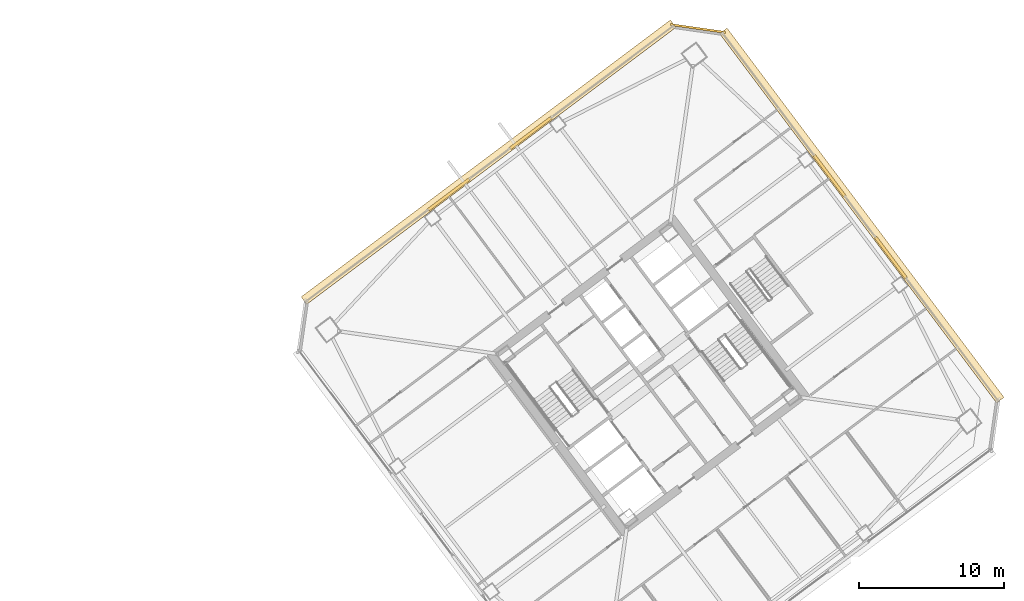
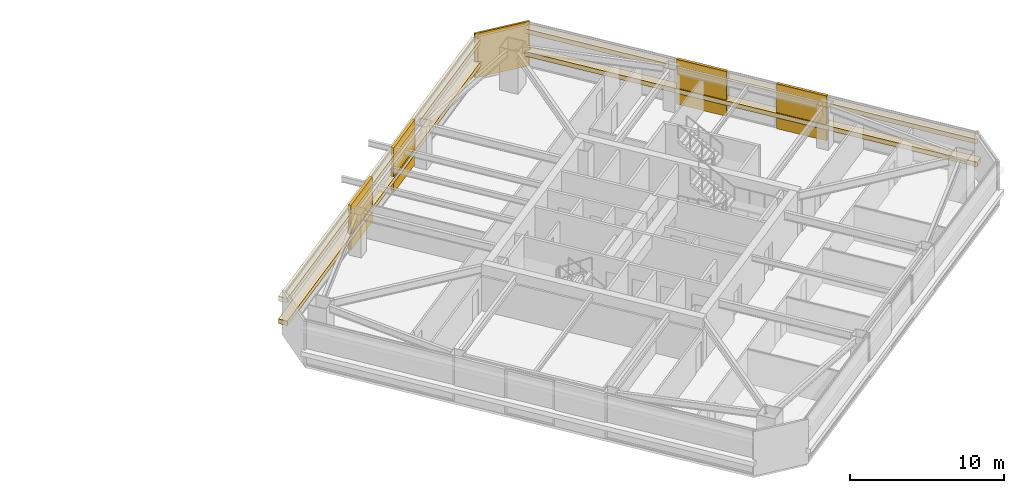
# One storey, part 42 of 42: 9 coverings.
"""IFC4 building model written with IfcOpenShell, lengths in metres."""

from ifc_helpers import new_model, si_unit, direction, frame, origin, origin_2d, place, context, subcontext, project, spatial, rectangle, extrude, material, layer, layer_set, type_object, element, save


model = new_model("IFC4")

# Units and contexts
model_context = context("Model", 3, precision=1e-05, world=origin(), true_north=direction((0.0, 1.0)))
body_context = subcontext(model_context, "Body", "Model", "MODEL_VIEW")
ifc_project = project(units=[si_unit("LENGTHUNIT", "METRE"), si_unit("AREAUNIT", "SQUARE_METRE"), si_unit("VOLUMEUNIT", "CUBIC_METRE"), si_unit("PLANEANGLEUNIT", "RADIAN"), si_unit("MASSUNIT", "GRAM", prefix="KILO")], contexts=[model_context])

# Site, building, storey
site_placement = place(None, origin())
site = spatial("IfcSite", under=ifc_project, at=site_placement, CompositionType="ELEMENT")
building_placement = place(site_placement, origin())
building = spatial("IfcBuilding", under=site, at=building_placement, Name="Tashvorn Skyway Center", CompositionType="ELEMENT")
storey_placement = place(building_placement, frame((0.0, 0.0, 121.5)))
storey = spatial("IfcBuildingStorey", under=building, at=storey_placement, Name="L32", CompositionType="ELEMENT", Elevation=121.5)

# Coverings
ifc_material_1 = material(Name="Precast concrete C40/50", Category="concrete")
ifc_layer_1 = layer(ifc_material_1, 0.199951171875)
ifc_layer_set_1 = layer_set([ifc_layer_1], Name="Precast concrete C40/50")
covering_type_1 = type_object("IfcCoveringType", Name="COV-BRACE-CLAD", PredefinedType="CLADDING", material=ifc_layer_set_1)
for number, where, z_axis, x_axis, name in (
    (1, (100.208740234375, 44.506591796875, 0.0), (0.0, 0.0, 1.0), (0.799999996291, 0.600000004945, 0.0), "Tower 2 L32 North Unitised Curtain Wall Mega-Brace Cladding Band 1"),
    (2, (105.855224609375, 48.741455078125, 0.0), (0.0, 0.0, 1.0), (0.799999996291, 0.600000004945, 0.0), "Tower 2 L32 North Unitised Curtain Wall Mega-Brace Cladding Band 2"),
    (3, (126.506591796875, 45.791259765625, 0.0), (0.0, 0.0, 1.0), (0.600000004945, -0.799999996291, 0.0), "Tower 2 L32 East Unitised Curtain Wall Mega-Brace Cladding Band 1"),
    (4, (130.741455078125, 40.144775390625, 0.0), (0.0, 0.0, 1.0), (0.600000004945, -0.799999996291, 0.0), "Tower 2 L32 East Unitised Curtain Wall Mega-Brace Cladding Band 2"),
):
    element("IfcCovering", number, at=place(storey_placement, frame(where, z_axis=z_axis, x_axis=x_axis)), inside=storey, type_object=covering_type_1, Name=name, PredefinedType="CLADDING", context=body_context, shape_type="SweptSolid", body=[
        extrude(rectangle(XDim=3.52880859375, YDim=0.199951171875, at=origin_2d()), origin(), (0.0, 0.0, 1.0), 3.550048828125),
    ])
ifc_material_2 = material(Name="Perforated ceramic-coated bronze aluminium solar screen", Category="aluminium")
ifc_layer_2 = layer(ifc_material_2, 0.85009765625)
ifc_layer_set_2 = layer_set([ifc_layer_2], Name="Perforated ceramic-coated bronze aluminium solar screen")
covering_type_2 = type_object("IfcCoveringType", Name="COV-SOLAR-BAND", PredefinedType="CLADDING", material=ifc_layer_set_2)
for number, where, z_axis, x_axis, name in (
    (5, (102.947998046875, 46.736083984375, 0.919921875), (0.0, 0.0, 1.0), (0.799999996291, 0.600000004945, 0.0), "L32 Perforated Ceramic-Metal Solar Screen Louvre Band North 1"),
    (6, (102.947998046875, 46.736083984375, 2.7197265625), (0.0, 0.0, 1.0), (0.799999996291, 0.600000004945, 0.0), "L32 Perforated Ceramic-Metal Solar Screen Louvre Band North 2"),
    (7, (128.736083984375, 43.052001953125, 0.919921875), (0.0, 0.0, 1.0), (0.600000004945, -0.799999996291, 0.0), "L32 Perforated Ceramic-Metal Solar Screen Louvre Band East 1"),
    (8, (128.736083984375, 43.052001953125, 2.7197265625), (0.0, 0.0, 1.0), (0.600000004945, -0.799999996291, 0.0), "L32 Perforated Ceramic-Metal Solar Screen Louvre Band East 2"),
):
    element("IfcCovering", number, at=place(storey_placement, frame(where, z_axis=z_axis, x_axis=x_axis)), inside=storey, type_object=covering_type_2, Name=name, PredefinedType="CLADDING", context=body_context, shape_type="SweptSolid", body=[
        extrude(rectangle(XDim=31.8798828125, YDim=0.639892578125, at=origin_2d()), origin(), (0.0, 0.0, 1.0), 0.360107421875),
    ])
ifc_layer_3 = layer(ifc_material_1, 0.35009765625)
ifc_layer_set_3 = layer_set([ifc_layer_3], Name="Precast concrete C40/50")
covering_type_3 = type_object("IfcCoveringType", Name="COV-STONE-TRIM", PredefinedType="CLADDING", material=ifc_layer_set_3)
covering_placement = place(storey_placement, frame((117.424072265625, 55.968017578125, 0.02001953125), z_axis=(0.0, 0.0, 1.0), x_axis=(0.989949494535, -0.141421350118, 0.0)))
element("IfcCovering", 9, at=covering_placement, inside=storey, type_object=covering_type_3, Name="Tower 2 L32 NE Mojave Limestone Corner Quoin", PredefinedType="CLADDING", context=body_context, shape_type="SweptSolid", body=[
    extrude(rectangle(XDim=3.8369140625, YDim=0.139892578125, at=origin_2d()), origin(), (0.0, 0.0, 1.0), 3.510009765625),
])

save(model, "model.ifc")
